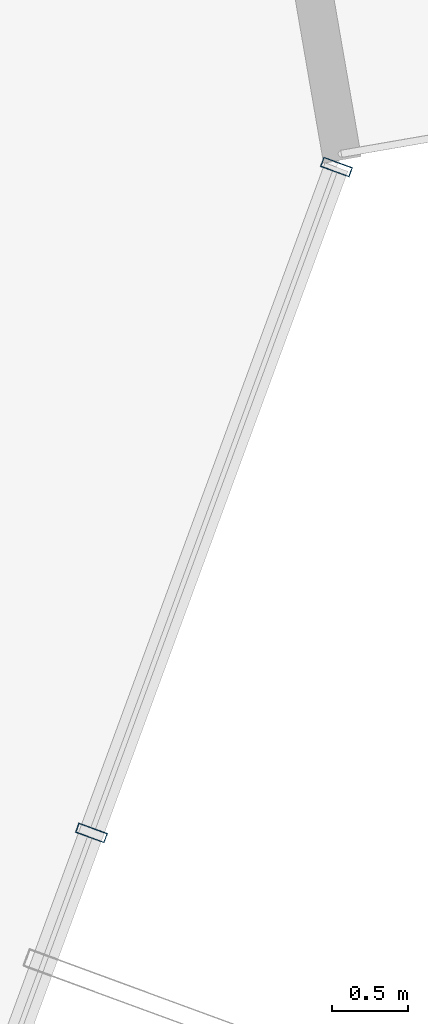
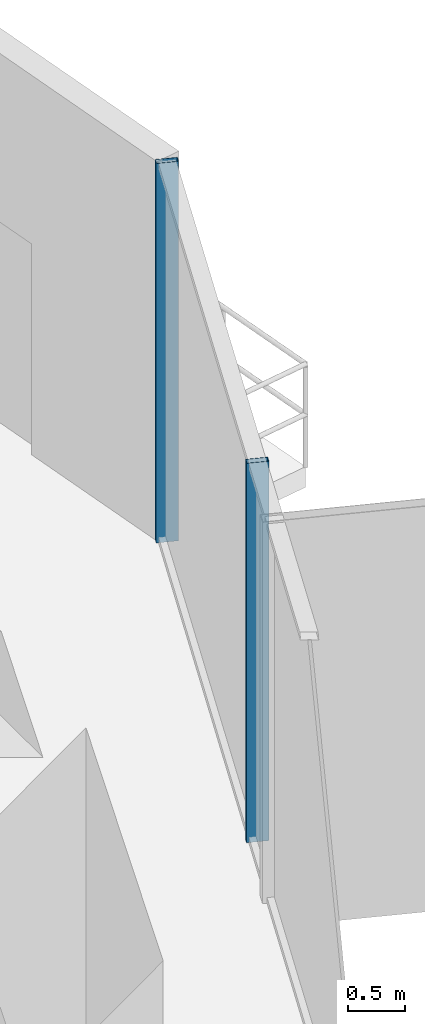
# One storey, part 17 of 35: 2 members, 1 element without a shape of its own.
"""IFC4 building model written with IfcOpenShell, lengths in metres."""

from ifc_helpers import new_model, si_unit, direction, frame, origin, origin_2d, place, context, subcontext, project, spatial, hollow_rectangle, extrude, source, transform, mapped, material, layer, layer_set, material_profile, profile_set, type_object, element, aggregate, save


model = new_model("IFC4")

# Units and contexts
model_context = context("Model", 3, precision=1e-05, world=origin(), true_north=direction((0.0, 1.0)))
body_context = subcontext(model_context, "Body", "Model", "MODEL_VIEW")
ifc_project = project(units=[si_unit("LENGTHUNIT", "METRE"), si_unit("AREAUNIT", "SQUARE_METRE"), si_unit("VOLUMEUNIT", "CUBIC_METRE"), si_unit("PLANEANGLEUNIT", "RADIAN"), si_unit("MASSUNIT", "GRAM", prefix="KILO")], contexts=[model_context])

# Site, building, storey
site_placement = place(None, origin())
site = spatial("IfcSite", under=ifc_project, at=site_placement, CompositionType="ELEMENT")
building_placement = place(site_placement, origin())
building = spatial("IfcBuilding", under=site, at=building_placement, Name="Veraguas Prism Commons", CompositionType="ELEMENT")
storey_placement = place(building_placement, frame((0.0, 0.0, 56.550048828125)))
storey = spatial("IfcBuildingStorey", under=building, at=storey_placement, Name="L15", CompositionType="ELEMENT", Elevation=56.550048828125)

# Curtain wall, members
ifc_material = material(Name="Anodised aluminium EN AW-6063 T6", Category="aluminium")
ifc_layer = layer(ifc_material, 0.199951171875, Name="Sky Lobby and Pool Acoustic Curtain Wall", Category="aluminium")
ifc_layer_set = layer_set([ifc_layer], Name="Anodised aluminium EN AW-6063 T6")
curtain_wall_type = type_object("IfcCurtainWallType", Name="Sky Lobby and Pool Acoustic Curtain Wall", PredefinedType="NOTDEFINED", material=ifc_layer_set)
curtain_wall_placement = place(storey_placement, origin())
curtain_wall = element("IfcCurtainWall", 1, at=curtain_wall_placement, inside=storey, type_object=curtain_wall_type, Name="Tower Facade Curtain Wall L15-F6", PredefinedType="NOTDEFINED")
ifc_material_profile = material_profile(ifc_material, hollow_rectangle(XDim=0.06494140625, YDim=0.199951171875, WallThickness=0.00390625, at=origin_2d()), Name="AL65X200X4")
ifc_profile_set = profile_set([ifc_material_profile], Name="Anodised aluminium EN AW-6063 T6")
member_type = type_object("IfcMemberType", Name="Curtain Wall Mullion Heavy AL 65x200x4", PredefinedType="MULLION", material=ifc_profile_set)
shared_shape = source(origin(), body_context, "Body", "SweptSolid", [
    extrude(hollow_rectangle(XDim=0.06494140625, YDim=0.199951171875, WallThickness=0.00390625, at=origin_2d()), origin(), (0.0, 0.0, 1.0), 4.050048828125),
])
member_1_placement = place(storey_placement, frame((45.119140625, 21.206787109375, 0.0), z_axis=(0.0, 0.0, 1.0), x_axis=(0.345301474955, 0.938491817436, 0.0)))
member_1 = element("IfcMember", 2, at=member_1_placement, type_object=member_type, Name="CW-SKY Mullion 4", PredefinedType="MULLION", context=body_context, shape_type="MappedRepresentation", body=[
    mapped(shared_shape, transform((0.0, 0.0, 0.0), scale=1.0)),
])
member_2_placement = place(storey_placement, frame((46.720703125, 25.56005859375, 0.0), z_axis=(0.0, 0.0, 1.0), x_axis=(0.345301474955, 0.938491817436, 0.0)))
member_2 = element("IfcMember", 3, at=member_2_placement, type_object=member_type, Name="CW-SKY Mullion 5", PredefinedType="MULLION", context=body_context, shape_type="MappedRepresentation", body=[
    mapped(shared_shape, transform((0.0, 0.0, 0.0), scale=1.0)),
])
aggregate(curtain_wall, [member_1, member_2])

save(model, "model.ifc")
